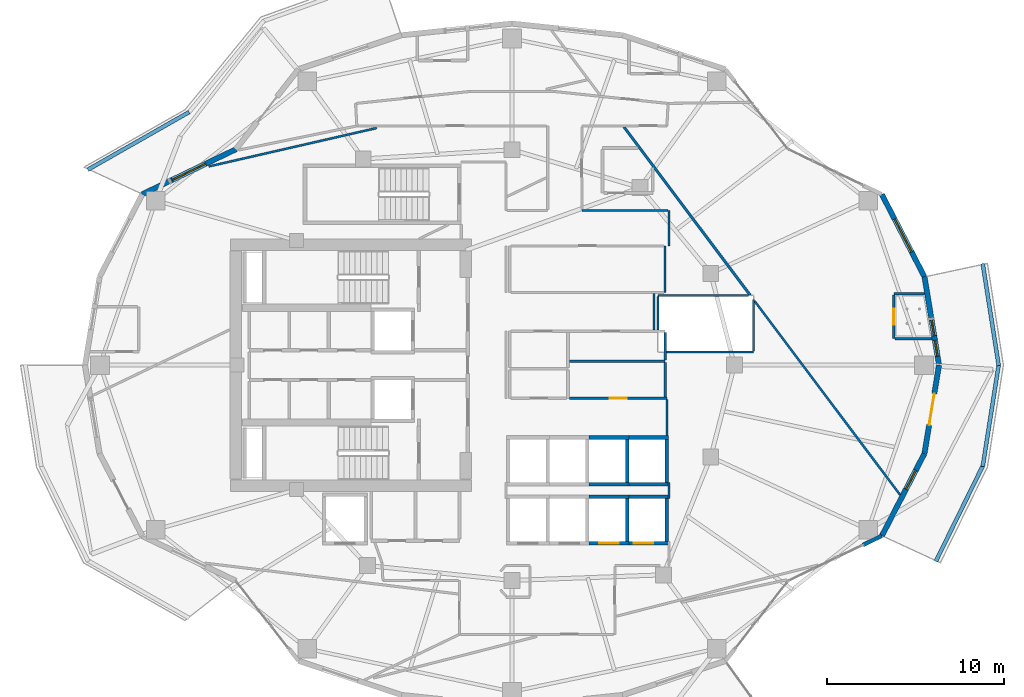
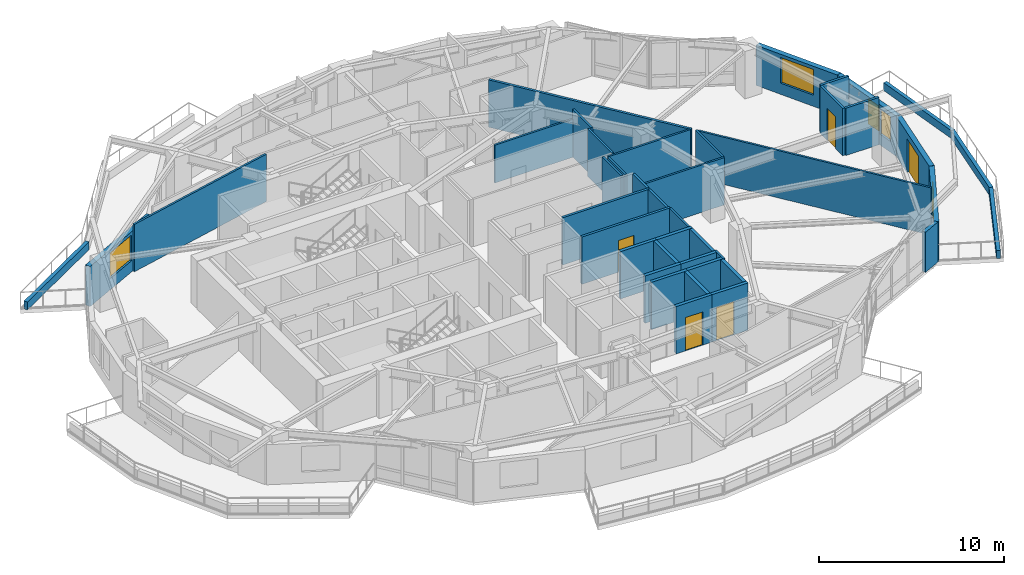
# One storey, part 11 of 19: 42 walls, 5 doors, 5 windows, 10 openings.
"""IFC4 building model written with IfcOpenShell, lengths in metres."""

from ifc_helpers import new_model, si_unit, direction, frame, frame_2d, origin, place, context, subcontext, project, spatial, rectangle, extrude, material, layer, layer_set, type_object, element, fill, save


model = new_model("IFC4")

# Units and contexts
model_context = context("Model", 3, precision=1e-05, world=origin(), true_north=direction((0.0, 1.0)))
body_context = subcontext(model_context, "Body", "Model", "MODEL_VIEW")
ifc_project = project(units=[si_unit("LENGTHUNIT", "METRE"), si_unit("AREAUNIT", "SQUARE_METRE"), si_unit("VOLUMEUNIT", "CUBIC_METRE"), si_unit("PLANEANGLEUNIT", "RADIAN"), si_unit("MASSUNIT", "GRAM", prefix="KILO")], contexts=[model_context])

# Site, building, storey
site_placement = place(None, origin())
site = spatial("IfcSite", under=ifc_project, at=site_placement, CompositionType="ELEMENT")
building_placement = place(site_placement, origin())
building = spatial("IfcBuilding", under=site, at=building_placement, Name="Kolvaren Gate Tower and Convention Centre", CompositionType="ELEMENT")
storey_placement = place(building_placement, frame((0.0, 0.0, 122.300048828125)))
storey = spatial("IfcBuildingStorey", under=building, at=storey_placement, Name="L30", CompositionType="ELEMENT", Elevation=122.300048828125)

# Walls
ifc_material_1 = material(Name="Fire-Rated Acoustic Gypsum Stud Partition", Category="gypsum")
ifc_layer_1 = layer(ifc_material_1, 0.1201171875)
ifc_layer_set_1 = layer_set([ifc_layer_1], Name="Fire-Rated Acoustic Gypsum Stud Partition")
wall_type_1 = type_object("IfcWallType", Name="ARCH-WL-PART-120", PredefinedType="PARTITIONING", material=ifc_layer_set_1)
wall_1_placement = place(storey_placement, frame((38.800048828125, 31.1201171875, 0.0), z_axis=(0.0, 0.0, 1.0), x_axis=(0.0, 1.0, 0.0)))
element("IfcWall", 1, at=wall_1_placement, inside=storey, type_object=wall_type_1, Name="Interior Partition WL-L30-INT-025", PredefinedType="PARTITIONING", context=body_context, shape_type="SweptSolid", body=[
    extrude(rectangle(XDim=2.6298828125, YDim=0.1201171875, at=frame_2d((1.31494140625, 0.0))), origin(), (0.0, 0.0, 1.0), 3.1298828125),
])
wall_2_placement = place(storey_placement, frame((39.02001953125, 19.43994140625, 0.0), z_axis=(0.0, 0.0, 1.0), x_axis=(0.0, 1.0, 0.0)))
element("IfcWall", 2, at=wall_2_placement, inside=storey, type_object=wall_type_1, Name="Interior Partition WL-L30-INT-028 (2)", PredefinedType="PARTITIONING", context=body_context, shape_type="SweptSolid", body=[
    extrude(rectangle(XDim=0.920166015625, YDim=0.1201171875, at=frame_2d((0.4599609375, 0.0))), origin(), (0.0, 0.0, 1.0), 3.1298828125),
])
wall_3_placement = place(storey_placement, frame((39.02001953125, 33.75, 0.0), z_axis=(0.0, 0.0, 1.0), x_axis=(0.0, 1.0, 0.0)))
element("IfcWall", 3, at=wall_3_placement, inside=storey, type_object=wall_type_1, Name="Interior Partition WL-L30-INT-029", PredefinedType="PARTITIONING", context=body_context, shape_type="SweptSolid", body=[
    extrude(rectangle(XDim=2.0, YDim=0.1201171875, at=frame_2d((1.0, 0.0))), origin(), (0.0, 0.0, 1.0), 3.1298828125),
])
wall_4_placement = place(storey_placement, frame((34.080078125, 35.75, 0.0), z_axis=(0.0, 0.0, 1.0), x_axis=(1.0, 0.0, 0.0)))
element("IfcWall", 4, at=wall_4_placement, inside=storey, type_object=wall_type_1, Name="Interior Partition WL-L30-INT-045", PredefinedType="PARTITIONING", context=body_context, shape_type="SweptSolid", body=[
    extrude(rectangle(XDim=4.8779296875, YDim=0.1201171875, at=frame_2d((2.43896484375, 0.0))), origin(), (0.0, 0.0, 1.0), 2.5048828125),
])
wall_5_placement = place(storey_placement, frame((38.159912109375, 28.9970703125, 0.0), z_axis=(0.0, 0.0, 1.0), x_axis=(0.0, 1.0, 0.0)))
element("IfcWall", 5, at=wall_5_placement, inside=storey, type_object=wall_type_1, Name="Interior Partition WL-L30-INT-054", PredefinedType="PARTITIONING", context=body_context, shape_type="SweptSolid", body=[
    extrude(rectangle(XDim=2.06103515625, YDim=0.1201171875, at=frame_2d((1.030517578125, 0.0))), origin(), (0.0, 0.0, 1.0), 3.1298828125),
])
wall_6_placement = place(storey_placement, frame((38.89990234375, 23.02001953125, 0.0), z_axis=(0.0, 0.0, 1.0), x_axis=(0.0, 1.0, 0.0)))
element("IfcWall", 6, at=wall_6_placement, inside=storey, type_object=wall_type_1, Name="Interior Partition WL-L30-INT-055", PredefinedType="PARTITIONING", context=body_context, shape_type="SweptSolid", body=[
    extrude(rectangle(XDim=2.02294921875, YDim=0.1201171875, at=frame_2d((1.011474609375, 0.0))), origin(), (0.0, 0.0, 1.0), 3.1298828125),
])
wall_7_placement = place(storey_placement, frame((38.876953125, 27.75, 0.0), z_axis=(0.0, 0.0, 1.0), x_axis=(1.0, 0.0, 0.0)))
element("IfcWall", 7, at=wall_7_placement, inside=storey, type_object=wall_type_1, Name="Interior Partition WL-L30-INT-069", PredefinedType="PARTITIONING", context=body_context, shape_type="SweptSolid", body=[
    extrude(rectangle(XDim=4.923095703125, YDim=0.1201171875, at=frame_2d((2.46142578125, 0.0))), origin(), (0.0, 0.0, 1.0), 3.1298828125),
])
wall_8_placement = place(storey_placement, frame((43.800048828125, 27.81201171875, 0.0), z_axis=(0.0, 0.0, 1.0), x_axis=(0.0, 1.0, 0.0)))
element("IfcWall", 8, at=wall_8_placement, inside=storey, type_object=wall_type_1, Name="Interior Partition WL-L30-INT-070", PredefinedType="PARTITIONING", context=body_context, shape_type="SweptSolid", body=[
    extrude(rectangle(XDim=2.905029296875, YDim=0.1201171875, at=frame_2d((1.45263671875, 0.0))), origin(), (0.0, 0.0, 1.0), 3.1298828125),
])
wall_9_placement = place(storey_placement, frame((43.862060546875, 30.634521484375, 0.0), z_axis=(0.0, 0.0, 1.0), x_axis=(0.600213311992, -0.799839971561, 0.0)))
element("IfcWall", 9, at=wall_9_placement, inside=storey, type_object=wall_type_1, Name="Interior Partition WL-L30-INT-073", PredefinedType="PARTITIONING", context=body_context, shape_type="SweptSolid", body=[
    extrude(rectangle(XDim=13.73291015625, YDim=0.1201171875, at=frame_2d((6.866455078125, 0.0))), origin(), (0.0, 0.0, 1.0), 3.1298828125),
])
wall_10_placement = place(storey_placement, frame((38.39990234375, 30.949951171875, 0.0), z_axis=(0.0, 0.0, 1.0), x_axis=(1.0, 0.0, 0.0)))
element("IfcWall", 10, at=wall_10_placement, inside=storey, type_object=wall_type_1, Name="Interior Partition WL-L30-INT-078", PredefinedType="PARTITIONING", context=body_context, shape_type="SweptSolid", body=[
    extrude(rectangle(XDim=5.12890625, YDim=0.1201171875, at=frame_2d((2.564453125, 0.0))), origin(), (0.0, 0.0, 1.0), 3.1298828125),
])
wall_11_placement = place(storey_placement, frame((38.39990234375, 28.9970703125, 0.0), z_axis=(0.0, 0.0, 1.0), x_axis=(0.0, 1.0, 0.0)))
element("IfcWall", 11, at=wall_11_placement, inside=storey, type_object=wall_type_1, Name="Interior Partition WL-L30-INT-079", PredefinedType="PARTITIONING", context=body_context, shape_type="SweptSolid", body=[
    extrude(rectangle(XDim=1.890869140625, YDim=0.1201171875, at=frame_2d((0.9453125, 0.0))), origin(), (0.0, 0.0, 1.0), 3.1298828125),
])
wall_12_placement = place(storey_placement, frame((12.94970703125, 38.251953125, 0.0), z_axis=(0.0, 0.0, 1.0), x_axis=(0.974810805883, 0.223033389281, 0.0)))
element("IfcWall", 12, at=wall_12_placement, inside=storey, type_object=wall_type_1, Name="Interior Partition WL-L30-INT-089", PredefinedType="PARTITIONING", context=body_context, shape_type="SweptSolid", body=[
    extrude(rectangle(XDim=9.756591796875, YDim=0.1201171875, at=frame_2d((4.87841796875, 0.0))), origin(), (0.0, 0.0, 1.0), 3.1298828125),
])
ifc_material_2 = material(Name="Bogota Sabana Bush-Hammered Sandstone Cladding", Category="masonry")
ifc_layer_2 = layer(ifc_material_2, 0.219970703125)
ifc_layer_set_2 = layer_set([ifc_layer_2], Name="Bogota Sabana Bush-Hammered Sandstone Cladding")
wall_type_2 = type_object("IfcWallType", Name="ARCH-WL-PIER-220", PredefinedType="SOLIDWALL", material=ifc_layer_set_2)
wall_13_placement = place(storey_placement, frame((50.0068359375, 16.813232421875, 0.0), z_axis=(0.0, 0.0, 1.0), x_axis=(0.90138115854, 0.433026566193, 0.0)))
element("IfcWall", 13, at=wall_13_placement, inside=storey, type_object=wall_type_2, Name="Tower L30 Unitised Curtain Wall CW-HTL-UNIT Bay 21 Right Column Pier Wrap", PredefinedType="SOLIDWALL", context=body_context, shape_type="SweptSolid", body=[
    extrude(rectangle(XDim=1.181640625, YDim=0.219970703125, at=frame_2d((0.5908203125, 0.0))), origin(), (0.0, 0.0, 1.0), 2.65283203125),
])
ifc_material_3 = material(Name="Piedmont Cream Honed Limestone Cladding", Category="masonry")
ifc_layer_3 = layer(ifc_material_3, 0.219970703125)
ifc_layer_set_3 = layer_set([ifc_layer_3], Name="Piedmont Cream Honed Limestone Cladding")
wall_type_3 = type_object("IfcWallType", Name="ARCH-WL-PLANTER-220", PredefinedType="PARAPET", material=ifc_layer_set_3)
wall_14_placement = place(storey_placement, frame((6.095458984375, 38.065673828125, 0.0), z_axis=(0.0, 0.0, 1.0), x_axis=(0.869187658335, 0.494482370361, 0.0)))
element("IfcWall", 14, at=wall_14_placement, inside=storey, type_object=wall_type_3, Name="Vertical-Forest Balcony Stone Planter Kerb PK-L30-1.3", PredefinedType="PARAPET", context=body_context, shape_type="SweptSolid", body=[
    extrude(rectangle(XDim=6.606201171875, YDim=0.219970703125, at=frame_2d((3.30322265625, 0.0))), origin(), (0.0, 0.0, 1.0), 0.52001953125),
])
wall_15_placement = place(storey_placement, frame((54.12890625, 15.87841796875, 0.0), z_axis=(0.0, 0.0, 1.0), x_axis=(0.441269631716, 0.897374566235, 0.0)))
element("IfcWall", 15, at=wall_15_placement, inside=storey, type_object=wall_type_3, Name="Vertical-Forest Balcony Stone Planter Kerb PK-L30-4.1", PredefinedType="PARAPET", context=body_context, shape_type="SweptSolid", body=[
    extrude(rectangle(XDim=6.05615234375, YDim=0.219970703125, at=frame_2d((3.028076171875, 0.0))), origin(), (0.0, 0.0, 1.0), 0.52001953125),
])
for number, where, z_axis, x_axis, name in (
    (16, (56.78857421875, 21.254150390625, 0.0), (0.0, 0.0, 1.0), (0.154903030247, 0.987929679289, 0.0), "Vertical-Forest Balcony Stone Planter Kerb PK-L30-4.2"),
    (17, (56.78857421875, 32.745849609375, 0.0), (0.0, 0.0, 1.0), (0.154903030247, -0.987929679289, 0.0), "Vertical-Forest Balcony Stone Planter Kerb PK-L30-4.3"),
):
    element("IfcWall", number, at=place(storey_placement, frame(where, z_axis=z_axis, x_axis=x_axis)), inside=storey, type_object=wall_type_3, Name=name, PredefinedType="PARAPET", context=body_context, shape_type="SweptSolid", body=[
        extrude(rectangle(XDim=5.845703125, YDim=0.219970703125, at=frame_2d((2.9228515625, 0.0))), origin(), (0.0, 0.0, 1.0), 0.52001953125),
    ])
ifc_material_4 = material(Name="Autoclaved Aerated Masonry Blockwork Class 4 (4.0 MPa)", Category="masonry")
ifc_layer_4 = layer(ifc_material_4, 0.199951171875)
ifc_layer_set_4 = layer_set([ifc_layer_4], Name="Autoclaved Aerated Masonry Blockwork Class 4 (4.0 MPa)")
wall_type_4 = type_object("IfcWallType", Name="ARCH-WL-SHAFT-200", PredefinedType="SOLIDWALL", material=ifc_layer_set_4)
wall_16_placement = place(storey_placement, frame((34.5, 19.550048828125, 0.0), z_axis=(0.0, 0.0, 1.0), x_axis=(1.0, 0.0, 0.0)))
element("IfcWall", 18, at=wall_16_placement, inside=storey, type_object=wall_type_4, Name="Elevator PL-07 L30 Fire Shaft Wall N", PredefinedType="SOLIDWALL", context=body_context, shape_type="SweptSolid", body=[
    extrude(rectangle(XDim=2.25, YDim=0.199951171875, at=frame_2d((1.125, 0.0))), origin(), (0.0, 0.0, 1.0), 3.1298828125),
])

# Wall, opening, door
wall_17_placement = place(storey_placement, frame((34.5, 16.89990234375, 0.0), z_axis=(0.0, 0.0, 1.0), x_axis=(1.0, 0.0, 0.0)))
wall_17 = element("IfcWall", 19, at=wall_17_placement, inside=storey, type_object=wall_type_4, Name="Elevator PL-07 L30 Fire Shaft Wall S", PredefinedType="SOLIDWALL", context=body_context, shape_type="SweptSolid", body=[
    extrude(rectangle(XDim=2.25, YDim=0.199951171875, at=frame_2d((1.125, 0.0))), origin(), (0.0, 0.0, 1.0), 3.1298828125),
])
opening_1_placement = place(wall_17_placement, frame((0.574951171875, 0.0, 0.0)))
opening_1 = element("IfcOpeningElement", 20, at=opening_1_placement, cuts=wall_17, Name="Opening LD", PredefinedType="OPENING", context=body_context, shape_type="SweptSolid", body=[
    extrude(rectangle(XDim=1.10009765625, YDim=2.199951171875, at=frame_2d((0.550048828125, 1.10009765625))), frame((0.0, 0.10986328125, 0.0), z_axis=(0.0, -1.0, 0.0), x_axis=(1.0, 0.0, 0.0)), (0.0, 0.0, 1.0), 0.219970703125),
])
ifc_material_5 = material(Name="Brushed Stainless Steel Grade 316L", Category="steel")
door_type_1 = type_object("IfcDoorType", Name="ARCH-DR-LIFT-1100", OperationType="SLIDING_TO_LEFT", PredefinedType="DOOR", material=ifc_material_5)
door_1_placement = place(opening_1_placement, origin())
door_1 = element("IfcDoor", 21, at=door_1_placement, inside=storey, type_object=door_type_1, Name="Elevator PL-07 L30 Sliding Landing Door", OperationType="SLIDING_TO_LEFT", OverallHeight=2.199951171875, OverallWidth=1.10009765625, PredefinedType="DOOR", context=body_context, shape_type="SweptSolid", body=[
    extrude(rectangle(XDim=1.10009765625, YDim=2.199951171875, at=frame_2d((0.550048828125, 1.10009765625))), frame((0.0, 0.02490234375, 0.0), z_axis=(0.0, -1.0, 0.0), x_axis=(1.0, 0.0, 0.0)), (0.0, 0.0, 1.0), 0.050048828125),
])
fill(opening_1, door_1)

# Walls
wall_18_placement = place(storey_placement, frame((36.64990234375, 17.010009765625, 0.0), z_axis=(0.0, 0.0, 1.0), x_axis=(0.0, 1.0, 0.0)))
element("IfcWall", 22, at=wall_18_placement, inside=storey, type_object=wall_type_4, Name="Elevator PL-07 L30 Fire Shaft Wall E", PredefinedType="SOLIDWALL", context=body_context, shape_type="SweptSolid", body=[
    extrude(rectangle(XDim=2.429931640625, YDim=0.199951171875, at=frame_2d((1.21484375, 0.0))), origin(), (0.0, 0.0, 1.0), 3.1298828125),
])
wall_19_placement = place(storey_placement, frame((36.75, 19.550048828125, 0.0), z_axis=(0.0, 0.0, 1.0), x_axis=(1.0, 0.0, 0.0)))
element("IfcWall", 23, at=wall_19_placement, inside=storey, type_object=wall_type_4, Name="Elevator PL-08 L30 Fire Shaft Wall N", PredefinedType="SOLIDWALL", context=body_context, shape_type="SweptSolid", body=[
    extrude(rectangle(XDim=2.25, YDim=0.199951171875, at=frame_2d((1.125, 0.0))), origin(), (0.0, 0.0, 1.0), 3.1298828125),
])

# Wall, opening, door
wall_20_placement = place(storey_placement, frame((36.75, 16.89990234375, 0.0), z_axis=(0.0, 0.0, 1.0), x_axis=(1.0, 0.0, 0.0)))
wall_20 = element("IfcWall", 24, at=wall_20_placement, inside=storey, type_object=wall_type_4, Name="Elevator PL-08 L30 Fire Shaft Wall S", PredefinedType="SOLIDWALL", context=body_context, shape_type="SweptSolid", body=[
    extrude(rectangle(XDim=2.25, YDim=0.199951171875, at=frame_2d((1.125, 0.0))), origin(), (0.0, 0.0, 1.0), 3.1298828125),
])
opening_2_placement = place(wall_20_placement, frame((0.280029296875, 0.0, 0.0)))
opening_2 = element("IfcOpeningElement", 25, at=opening_2_placement, cuts=wall_20, Name="Opening LD", PredefinedType="OPENING", context=body_context, shape_type="SweptSolid", body=[
    extrude(rectangle(XDim=1.10009765625, YDim=2.199951171875, at=frame_2d((0.550048828125, 1.10009765625))), frame((0.0, 0.10986328125, 0.0), z_axis=(0.0, -1.0, 0.0), x_axis=(1.0, 0.0, 0.0)), (0.0, 0.0, 1.0), 0.219970703125),
])
door_2_placement = place(opening_2_placement, origin())
door_2 = element("IfcDoor", 26, at=door_2_placement, inside=storey, type_object=door_type_1, Name="Elevator PL-08 L30 Sliding Landing Door", OperationType="SLIDING_TO_LEFT", OverallHeight=2.199951171875, OverallWidth=1.10009765625, PredefinedType="DOOR", context=body_context, shape_type="SweptSolid", body=[
    extrude(rectangle(XDim=1.10009765625, YDim=2.199951171875, at=frame_2d((0.550048828125, 1.10009765625))), frame((0.0, 0.02490234375, 0.0), z_axis=(0.0, -1.0, 0.0), x_axis=(1.0, 0.0, 0.0)), (0.0, 0.0, 1.0), 0.050048828125),
])
fill(opening_2, door_2)

# Walls
wall_21_placement = place(storey_placement, frame((38.89990234375, 17.010009765625, 0.0), z_axis=(0.0, 0.0, 1.0), x_axis=(0.0, 1.0, 0.0)))
element("IfcWall", 27, at=wall_21_placement, inside=storey, type_object=wall_type_4, Name="Elevator PL-08 L30 Fire Shaft Wall E", PredefinedType="SOLIDWALL", context=body_context, shape_type="SweptSolid", body=[
    extrude(rectangle(XDim=2.429931640625, YDim=0.199951171875, at=frame_2d((1.21484375, 0.0))), origin(), (0.0, 0.0, 1.0), 3.1298828125),
])
for number, where, z_axis, x_axis, name in (
    (28, (34.5, 22.89990234375, 0.0), (0.0, 0.0, 1.0), (1.0, 0.0, 0.0), "Elevator PL-11 L30 Fire Shaft Wall N"),
    (29, (34.5, 20.25, 0.0), (0.0, 0.0, 1.0), (1.0, 0.0, 0.0), "Elevator PL-11 L30 Fire Shaft Wall S"),
):
    element("IfcWall", number, at=place(storey_placement, frame(where, z_axis=z_axis, x_axis=x_axis)), inside=storey, type_object=wall_type_4, Name=name, PredefinedType="SOLIDWALL", context=body_context, shape_type="SweptSolid", body=[
        extrude(rectangle(XDim=2.25, YDim=0.199951171875, at=frame_2d((1.125, 0.0))), origin(), (0.0, 0.0, 1.0), 3.1298828125),
    ])
wall_22_placement = place(storey_placement, frame((36.64990234375, 20.360107421875, 0.0), z_axis=(0.0, 0.0, 1.0), x_axis=(0.0, 1.0, 0.0)))
element("IfcWall", 30, at=wall_22_placement, inside=storey, type_object=wall_type_4, Name="Elevator PL-11 L30 Fire Shaft Wall E", PredefinedType="SOLIDWALL", context=body_context, shape_type="SweptSolid", body=[
    extrude(rectangle(XDim=2.429931640625, YDim=0.199951171875, at=frame_2d((1.21484375, 0.0))), origin(), (0.0, 0.0, 1.0), 3.1298828125),
])
for number, where, z_axis, x_axis, name in (
    (31, (36.75, 22.89990234375, 0.0), (0.0, 0.0, 1.0), (1.0, 0.0, 0.0), "Elevator PL-12 L30 Fire Shaft Wall N"),
    (32, (36.75, 20.25, 0.0), (0.0, 0.0, 1.0), (1.0, 0.0, 0.0), "Elevator PL-12 L30 Fire Shaft Wall S"),
):
    element("IfcWall", number, at=place(storey_placement, frame(where, z_axis=z_axis, x_axis=x_axis)), inside=storey, type_object=wall_type_4, Name=name, PredefinedType="SOLIDWALL", context=body_context, shape_type="SweptSolid", body=[
        extrude(rectangle(XDim=2.25, YDim=0.199951171875, at=frame_2d((1.125, 0.0))), origin(), (0.0, 0.0, 1.0), 3.1298828125),
    ])
wall_23_placement = place(storey_placement, frame((38.89990234375, 20.360107421875, 0.0), z_axis=(0.0, 0.0, 1.0), x_axis=(0.0, 1.0, 0.0)))
element("IfcWall", 33, at=wall_23_placement, inside=storey, type_object=wall_type_4, Name="Elevator PL-12 L30 Fire Shaft Wall E", PredefinedType="SOLIDWALL", context=body_context, shape_type="SweptSolid", body=[
    extrude(rectangle(XDim=2.429931640625, YDim=0.199951171875, at=frame_2d((1.21484375, 0.0))), origin(), (0.0, 0.0, 1.0), 3.1298828125),
])

# Wall, openings, windows
ifc_layer_5 = layer(ifc_material_3, 0.300048828125)
ifc_layer_set_5 = layer_set([ifc_layer_5], Name="Piedmont Cream Honed Limestone Cladding")
wall_type_5 = type_object("IfcWallType", Name="ARCH-WL-STONE-300", PredefinedType="SOLIDWALL", material=ifc_layer_set_5)
wall_24_placement = place(storey_placement, frame((53.48828125, 32.008056640625, 0.0), z_axis=(0.0, 0.0, 1.0), x_axis=(0.162393944769, -0.986726003864, 0.0)))
wall_24 = element("IfcWall", 34, at=wall_24_placement, inside=storey, type_object=wall_type_5, Name="Tower L30 Honed Stone Spandrel Wall EW-00", PredefinedType="SOLIDWALL", context=body_context, shape_type="SweptSolid", body=[
    extrude(rectangle(XDim=5.075439453125, YDim=0.300048828125, at=frame_2d((2.53759765625, 0.0))), origin(), (0.0, 0.0, 1.0), 2.65283203125),
])
opening_3_placement = place(wall_24_placement, frame((2.489990234375, 0.0, 0.719970703125)))
opening_3 = element("IfcOpeningElement", 35, at=opening_3_placement, cuts=wall_24, Name="Opening W-06", PredefinedType="OPENING", context=body_context, shape_type="SweptSolid", body=[
    extrude(rectangle(XDim=0.89990234375, YDim=1.64990234375, at=frame_2d((0.449951171875, 0.824951171875))), frame((0.0, 0.159912109375, 0.0), z_axis=(0.0, -1.0, 0.0), x_axis=(1.0, 0.0, 0.0)), (0.0, 0.0, 1.0), 0.320068359375),
])
opening_4_placement = place(wall_24_placement, frame((3.660400390625, 0.0, 0.719970703125)))
opening_4 = element("IfcOpeningElement", 36, at=opening_4_placement, cuts=wall_24, Name="Opening W-06", PredefinedType="OPENING", context=body_context, shape_type="SweptSolid", body=[
    extrude(rectangle(XDim=0.89990234375, YDim=1.64990234375, at=frame_2d((0.449951171875, 0.824951171875))), frame((0.0, 0.159912109375, 0.0), z_axis=(0.0, -1.0, 0.0), x_axis=(1.0, 0.0, 0.0)), (0.0, 0.0, 1.0), 0.320068359375),
])
ifc_material_6 = material(Name="Low-E Triple Insulated Glazing Unit 44 mm", Category="glass")
window_type_1 = type_object("IfcWindowType", Name="ARCH-WN-PUNCH-900", PartitioningType="SINGLE_PANEL", PredefinedType="WINDOW", material=ifc_material_6)
window_1_placement = place(opening_3_placement, origin())
window_1 = element("IfcWindow", 37, at=window_1_placement, inside=storey, type_object=window_type_1, Name="Tower L30 Punched Stone Facade Window W-00", OverallHeight=1.64990234375, OverallWidth=0.89990234375, PartitioningType="SINGLE_PANEL", PredefinedType="WINDOW", context=body_context, shape_type="SweptSolid", body=[
    extrude(rectangle(XDim=0.89990234375, YDim=1.64990234375, at=frame_2d((0.449951171875, 0.824951171875))), frame((0.0, 0.030029296875, 0.0), z_axis=(0.0, -1.0, 0.0), x_axis=(1.0, 0.0, 0.0)), (0.0, 0.0, 1.0), 0.06005859375),
])
fill(opening_3, window_1)
window_2_placement = place(opening_4_placement, origin())
window_2 = element("IfcWindow", 38, at=window_2_placement, inside=storey, type_object=window_type_1, Name="Tower L30 Punched Stone Facade Window W-00B", OverallHeight=1.64990234375, OverallWidth=0.89990234375, PartitioningType="SINGLE_PANEL", PredefinedType="WINDOW", context=body_context, shape_type="SweptSolid", body=[
    extrude(rectangle(XDim=0.89990234375, YDim=1.64990234375, at=frame_2d((0.449951171875, 0.824951171875))), frame((0.0, 0.030029296875, 0.0), z_axis=(0.0, -1.0, 0.0), x_axis=(1.0, 0.0, 0.0)), (0.0, 0.0, 1.0), 0.06005859375),
])
fill(opening_4, window_2)

# Wall, opening, window
wall_25_placement = place(storey_placement, frame((51.072021484375, 36.675048828125, 0.0), z_axis=(0.0, 0.0, 1.0), x_axis=(0.459767899643, -0.888039119892, 0.0)))
wall_25 = element("IfcWall", 39, at=wall_25_placement, inside=storey, type_object=wall_type_5, Name="Tower L30 Honed Stone Spandrel Wall EW-01", PredefinedType="SOLIDWALL", context=body_context, shape_type="SweptSolid", body=[
    extrude(rectangle(XDim=5.25537109375, YDim=0.300048828125, at=frame_2d((2.627685546875, 0.0))), origin(), (0.0, 0.0, 1.0), 2.65283203125),
])
opening_5_placement = place(wall_25_placement, frame((1.577880859375, 0.0, 0.739990234375)))
opening_5 = element("IfcOpeningElement", 40, at=opening_5_placement, cuts=wall_25, Name="Opening W-02", PredefinedType="OPENING", context=body_context, shape_type="SweptSolid", body=[
    extrude(rectangle(XDim=2.10009765625, YDim=1.699951171875, at=frame_2d((1.050048828125, 0.85009765625))), frame((0.0, 0.159912109375, 0.0), z_axis=(0.0, -1.0, 0.0), x_axis=(1.0, 0.0, 0.0)), (0.0, 0.0, 1.0), 0.320068359375),
])
window_type_2 = type_object("IfcWindowType", Name="ARCH-WN-HTL-2100", PartitioningType="SINGLE_PANEL", PredefinedType="WINDOW", material=ifc_material_6)
window_3_placement = place(opening_5_placement, origin())
window_3 = element("IfcWindow", 41, at=window_3_placement, inside=storey, type_object=window_type_2, Name="Tower L30 Punched Stone Facade Window W-01", OverallHeight=1.699951171875, OverallWidth=2.10009765625, PartitioningType="SINGLE_PANEL", PredefinedType="WINDOW", context=body_context, shape_type="SweptSolid", body=[
    extrude(rectangle(XDim=2.10009765625, YDim=1.699951171875, at=frame_2d((1.050048828125, 0.85009765625))), frame((0.0, 0.030029296875, 0.0), z_axis=(0.0, -1.0, 0.0), x_axis=(1.0, 0.0, 0.0)), (0.0, 0.0, 1.0), 0.06005859375),
])
fill(opening_5, window_3)

wall_26_placement = place(storey_placement, frame((9.177978515625, 36.675048828125, 0.0), z_axis=(0.0, 0.0, 1.0), x_axis=(0.901370184739, 0.433049408339, 0.0)))
wall_26 = element("IfcWall", 42, at=wall_26_placement, inside=storey, type_object=wall_type_5, Name="Tower L30 Honed Stone Spandrel Wall EW-09", PredefinedType="SOLIDWALL", context=body_context, shape_type="SweptSolid", body=[
    extrude(rectangle(XDim=5.883544921875, YDim=0.300048828125, at=frame_2d((2.94189453125, 0.0))), origin(), (0.0, 0.0, 1.0), 2.65283203125),
])
opening_6_placement = place(wall_26_placement, frame((1.89208984375, 0.0, 0.739990234375)))
opening_6 = element("IfcOpeningElement", 43, at=opening_6_placement, cuts=wall_26, Name="Opening W-02", PredefinedType="OPENING", context=body_context, shape_type="SweptSolid", body=[
    extrude(rectangle(XDim=2.10009765625, YDim=1.699951171875, at=frame_2d((1.050048828125, 0.85009765625))), frame((0.0, 0.159912109375, 0.0), z_axis=(0.0, -1.0, 0.0), x_axis=(1.0, 0.0, 0.0)), (0.0, 0.0, 1.0), 0.320068359375),
])
window_4_placement = place(opening_6_placement, origin())
window_4 = element("IfcWindow", 44, at=window_4_placement, inside=storey, type_object=window_type_2, Name="Tower L30 Punched Stone Facade Window W-09", OverallHeight=1.699951171875, OverallWidth=2.10009765625, PartitioningType="SINGLE_PANEL", PredefinedType="WINDOW", context=body_context, shape_type="SweptSolid", body=[
    extrude(rectangle(XDim=2.10009765625, YDim=1.699951171875, at=frame_2d((1.050048828125, 0.85009765625))), frame((0.0, 0.030029296875, 0.0), z_axis=(0.0, -1.0, 0.0), x_axis=(1.0, 0.0, 0.0)), (0.0, 0.0, 1.0), 0.06005859375),
])
fill(opening_6, window_4)

wall_27_placement = place(storey_placement, frame((51.072021484375, 17.324951171875, 0.0), z_axis=(0.0, 0.0, 1.0), x_axis=(0.459767899643, 0.888039119892, 0.0)))
wall_27 = element("IfcWall", 45, at=wall_27_placement, inside=storey, type_object=wall_type_5, Name="Tower L30 Honed Stone Spandrel Wall EW-22", PredefinedType="SOLIDWALL", context=body_context, shape_type="SweptSolid", body=[
    extrude(rectangle(XDim=5.25537109375, YDim=0.300048828125, at=frame_2d((2.627685546875, 0.0))), origin(), (0.0, 0.0, 1.0), 2.65283203125),
])
opening_7_placement = place(wall_27_placement, frame((2.97998046875, 0.0, 0.719970703125)))
opening_7 = element("IfcOpeningElement", 46, at=opening_7_placement, cuts=wall_27, Name="Opening W-04", PredefinedType="OPENING", context=body_context, shape_type="SweptSolid", body=[
    extrude(rectangle(XDim=1.199951171875, YDim=1.64990234375, at=frame_2d((0.60009765625, 0.824951171875))), frame((0.0, 0.159912109375, 0.0), z_axis=(0.0, -1.0, 0.0), x_axis=(1.0, 0.0, 0.0)), (0.0, 0.0, 1.0), 0.320068359375),
])
window_type_3 = type_object("IfcWindowType", Name="ARCH-WN-NARROW-1200", PartitioningType="SINGLE_PANEL", PredefinedType="WINDOW", material=ifc_material_6)
window_5_placement = place(opening_7_placement, origin())
window_5 = element("IfcWindow", 47, at=window_5_placement, inside=storey, type_object=window_type_3, Name="Tower L30 Punched Stone Facade Window W-22", OverallHeight=1.64990234375, OverallWidth=1.199951171875, PartitioningType="SINGLE_PANEL", PredefinedType="WINDOW", context=body_context, shape_type="SweptSolid", body=[
    extrude(rectangle(XDim=1.199951171875, YDim=1.64990234375, at=frame_2d((0.60009765625, 0.824951171875))), frame((0.0, 0.030029296875, 0.0), z_axis=(0.0, -1.0, 0.0), x_axis=(1.0, 0.0, 0.0)), (0.0, 0.0, 1.0), 0.06005859375),
])
fill(opening_7, window_5)

# Wall, opening, door
wall_28_placement = place(storey_placement, frame((53.48828125, 21.991943359375, 0.0), z_axis=(0.0, 0.0, 1.0), x_axis=(0.162393944769, 0.986726003864, 0.0)))
wall_28 = element("IfcWall", 48, at=wall_28_placement, inside=storey, type_object=wall_type_5, Name="Tower L30 Honed Stone Spandrel Wall EW-23", PredefinedType="SOLIDWALL", context=body_context, shape_type="SweptSolid", body=[
    extrude(rectangle(XDim=5.075439453125, YDim=0.300048828125, at=frame_2d((2.53759765625, 0.0))), origin(), (0.0, 0.0, 1.0), 2.65283203125),
])
opening_8_placement = place(wall_28_placement, frame((1.637939453125, 0.0, 0.0)))
opening_8 = element("IfcOpeningElement", 49, at=opening_8_placement, cuts=wall_28, Name="Opening DB-01", PredefinedType="OPENING", context=body_context, shape_type="SweptSolid", body=[
    extrude(rectangle(XDim=1.800048828125, YDim=2.25, at=frame_2d((0.89990234375, 1.125))), frame((0.0, 0.159912109375, 0.0), z_axis=(0.0, -1.0, 0.0), x_axis=(1.0, 0.0, 0.0)), (0.0, 0.0, 1.0), 0.320068359375),
])
ifc_material_7 = material(Name="Anodized Architectural Aluminium Alloy 6063-T6", Category="aluminium")
door_type_2 = type_object("IfcDoorType", Name="ARCH-DR-BALC-1800", OperationType="SLIDING_TO_LEFT", PredefinedType="DOOR", material=ifc_material_7)
door_3_placement = place(opening_8_placement, frame((1.800048828125, 0.0, 0.0), z_axis=(0.0, 0.0, 1.0), x_axis=(-1.0, 0.0, 0.0)))
door_3 = element("IfcDoor", 50, at=door_3_placement, inside=storey, type_object=door_type_2, Name="Planted Sky Terrace Access Door DB-L30-23", OperationType="SLIDING_TO_LEFT", OverallHeight=2.25, OverallWidth=1.800048828125, PredefinedType="DOOR", context=body_context, shape_type="SweptSolid", body=[
    extrude(rectangle(XDim=1.800048828125, YDim=2.25, at=frame_2d((0.89990234375, 1.125))), frame((0.0, 0.02490234375, 0.0), z_axis=(0.0, -1.0, 0.0), x_axis=(1.0, 0.0, 0.0)), (0.0, 0.0, 1.0), 0.050048828125),
])
fill(opening_8, door_3)

ifc_material_8 = material(Name="Moisture-Resistant Cement-Board Acoustic Partition", Category="gypsum")
ifc_layer_6 = layer(ifc_material_8, 0.14990234375)
ifc_layer_set_6 = layer_set([ifc_layer_6], Name="Moisture-Resistant Cement-Board Acoustic Partition")
wall_type_6 = type_object("IfcWallType", Name="ARCH-WL-WET-150", PredefinedType="PARTITIONING", material=ifc_layer_set_6)
wall_29_placement = place(storey_placement, frame((33.376953125, 25.1201171875, 0.0), z_axis=(0.0, 0.0, 1.0), x_axis=(1.0, 0.0, 0.0)))
wall_29 = element("IfcWall", 51, at=wall_29_placement, inside=storey, type_object=wall_type_6, Name="Interior Partition WL-L30-INT-022 (2)", PredefinedType="PARTITIONING", context=body_context, shape_type="SweptSolid", body=[
    extrude(rectangle(XDim=5.52294921875, YDim=0.14990234375, at=frame_2d((2.761474609375, 0.0))), origin(), (0.0, 0.0, 1.0), 3.1298828125),
])
opening_9_placement = place(wall_29_placement, frame((2.28662109375, 0.0, 0.0)))
opening_9 = element("IfcOpeningElement", 52, at=opening_9_placement, cuts=wall_29, Name="Opening DR-01", PredefinedType="OPENING", context=body_context, shape_type="SweptSolid", body=[
    extrude(rectangle(XDim=0.949951171875, YDim=2.10009765625, at=frame_2d((0.47509765625, 1.050048828125))), frame((0.0, 0.0849609375, 0.0), z_axis=(0.0, -1.0, 0.0), x_axis=(1.0, 0.0, 0.0)), (0.0, 0.0, 1.0), 0.169921875),
])
ifc_material_9 = material(Name="Painted Architectural Steelwork ASTM A500 Grade C 345 MPa", Category="steel")
door_type_3 = type_object("IfcDoorType", Name="ARCH-DR-RISER-950", OperationType="SINGLE_SWING_RIGHT", PredefinedType="DOOR", material=ifc_material_9)
door_4_placement = place(opening_9_placement, origin())
door_4 = element("IfcDoor", 53, at=door_4_placement, inside=storey, type_object=door_type_3, Name="Floor Coffee Pantry Door", OperationType="SINGLE_SWING_LEFT", OverallHeight=2.10009765625, OverallWidth=0.949951171875, PredefinedType="DOOR", context=body_context, shape_type="SweptSolid", body=[
    extrude(rectangle(XDim=0.949951171875, YDim=2.10009765625, at=frame_2d((0.47509765625, 1.050048828125))), frame((0.0, 0.02490234375, 0.0), z_axis=(0.0, -1.0, 0.0), x_axis=(1.0, 0.0, 0.0)), (0.0, 0.0, 1.0), 0.050048828125),
])
fill(opening_9, door_4)

# Walls
wall_30_placement = place(storey_placement, frame((33.376953125, 27.219970703125, 0.0), z_axis=(0.0, 0.0, 1.0), x_axis=(1.0, 0.0, 0.0)))
element("IfcWall", 54, at=wall_30_placement, inside=storey, type_object=wall_type_6, Name="Interior Partition WL-L30-INT-023", PredefinedType="PARTITIONING", context=body_context, shape_type="SweptSolid", body=[
    extrude(rectangle(XDim=5.423095703125, YDim=0.14990234375, at=frame_2d((2.71142578125, 0.0))), origin(), (0.0, 0.0, 1.0), 3.1298828125),
])
wall_31_placement = place(storey_placement, frame((38.800048828125, 25.197021484375, 0.0), z_axis=(0.0, 0.0, 1.0), x_axis=(0.0, 1.0, 0.0)))
element("IfcWall", 55, at=wall_31_placement, inside=storey, type_object=wall_type_6, Name="Interior Partition WL-L30-INT-024", PredefinedType="PARTITIONING", context=body_context, shape_type="SweptSolid", body=[
    extrude(rectangle(XDim=1.946044921875, YDim=0.14990234375, at=frame_2d((0.97314453125, 0.0))), origin(), (0.0, 0.0, 1.0), 3.1298828125),
])
wall_32_placement = place(storey_placement, frame((38.800048828125, 27.297119140625, 0.0), z_axis=(0.0, 0.0, 1.0), x_axis=(0.0, 1.0, 0.0)))
element("IfcWall", 56, at=wall_32_placement, inside=storey, type_object=wall_type_6, Name="Interior Partition WL-L30-INT-024 (2)", PredefinedType="PARTITIONING", context=body_context, shape_type="SweptSolid", body=[
    extrude(rectangle(XDim=1.5458984375, YDim=0.14990234375, at=frame_2d((0.77294921875, 0.0))), origin(), (0.0, 0.0, 1.0), 3.1298828125),
])
wall_33_placement = place(storey_placement, frame((36.467529296875, 40.488037109375, 0.0), z_axis=(0.0, 0.0, 1.0), x_axis=(0.600219452556, -0.799835363543, 0.0)))
element("IfcWall", 57, at=wall_33_placement, inside=storey, type_object=wall_type_6, Name="Interior Partition WL-L30-INT-072", PredefinedType="PARTITIONING", context=body_context, shape_type="SweptSolid", body=[
    extrude(rectangle(XDim=11.9248046875, YDim=0.14990234375, at=frame_2d((5.96240234375, 0.0))), origin(), (0.0, 0.0, 1.0), 3.1298828125),
])
wall_34_placement = place(storey_placement, frame((51.75, 31.050048828125, 0.0), z_axis=(0.0, 0.0, 1.0), x_axis=(1.0, 0.0, 0.0)))
element("IfcWall", 58, at=wall_34_placement, inside=storey, type_object=wall_type_6, Name="Interior Partition WL-L30-INT-075", PredefinedType="PARTITIONING", context=body_context, shape_type="SweptSolid", body=[
    extrude(rectangle(XDim=1.741943359375, YDim=0.14990234375, at=frame_2d((0.87109375, 0.0))), origin(), (0.0, 0.0, 1.0), 3.1298828125),
])

# Wall, opening, door
wall_35_placement = place(storey_placement, frame((51.75, 28.5, 0.0), z_axis=(0.0, 0.0, 1.0), x_axis=(0.0, 1.0, 0.0)))
wall_35 = element("IfcWall", 59, at=wall_35_placement, inside=storey, type_object=wall_type_6, Name="Interior Partition WL-L30-INT-076", PredefinedType="PARTITIONING", context=body_context, shape_type="SweptSolid", body=[
    extrude(rectangle(XDim=2.472900390625, YDim=0.14990234375, at=frame_2d((1.236328125, 0.0))), origin(), (0.0, 0.0, 1.0), 3.1298828125),
])
opening_10_placement = place(wall_35_placement, frame((0.78662109375, 0.0, 0.0)))
opening_10 = element("IfcOpeningElement", 60, at=opening_10_placement, cuts=wall_35, Name="Opening DW-01", PredefinedType="OPENING", context=body_context, shape_type="SweptSolid", body=[
    extrude(rectangle(XDim=0.89990234375, YDim=2.10009765625, at=frame_2d((0.449951171875, 1.050048828125))), frame((0.0, 0.0849609375, 0.0), z_axis=(0.0, -1.0, 0.0), x_axis=(1.0, 0.0, 0.0)), (0.0, 0.0, 1.0), 0.169921875),
])
ifc_material_10 = material(Name="FSC Andean Oak Engineered Veneer Door Leaf", Category="wood")
door_type_4 = type_object("IfcDoorType", Name="ARCH-DR-WC-900", OperationType="SINGLE_SWING_RIGHT", PredefinedType="DOOR", material=ifc_material_10)
door_5_placement = place(opening_10_placement, origin())
door_5 = element("IfcDoor", 61, at=door_5_placement, inside=storey, type_object=door_type_4, Name="En-suite Bathroom (HTL-L30-05) Door", OperationType="SINGLE_SWING_RIGHT", OverallHeight=2.10009765625, OverallWidth=0.89990234375, PredefinedType="DOOR", context=body_context, shape_type="SweptSolid", body=[
    extrude(rectangle(XDim=0.89990234375, YDim=2.10009765625, at=frame_2d((0.449951171875, 1.050048828125))), frame((0.0, 0.02490234375, 0.0), z_axis=(0.0, -1.0, 0.0), x_axis=(1.0, 0.0, 0.0)), (0.0, 0.0, 1.0), 0.050048828125),
])
fill(opening_10, door_5)

# Wall
wall_36_placement = place(storey_placement, frame((51.826904296875, 28.5, 0.0), z_axis=(0.0, 0.0, 1.0), x_axis=(1.0, 0.0, 0.0)))
element("IfcWall", 62, at=wall_36_placement, inside=storey, type_object=wall_type_6, Name="Interior Partition WL-L30-INT-077", PredefinedType="PARTITIONING", context=body_context, shape_type="SweptSolid", body=[
    extrude(rectangle(XDim=2.084716796875, YDim=0.14990234375, at=frame_2d((1.04248046875, 0.0))), origin(), (0.0, 0.0, 1.0), 3.1298828125),
])

save(model, "model.ifc")
